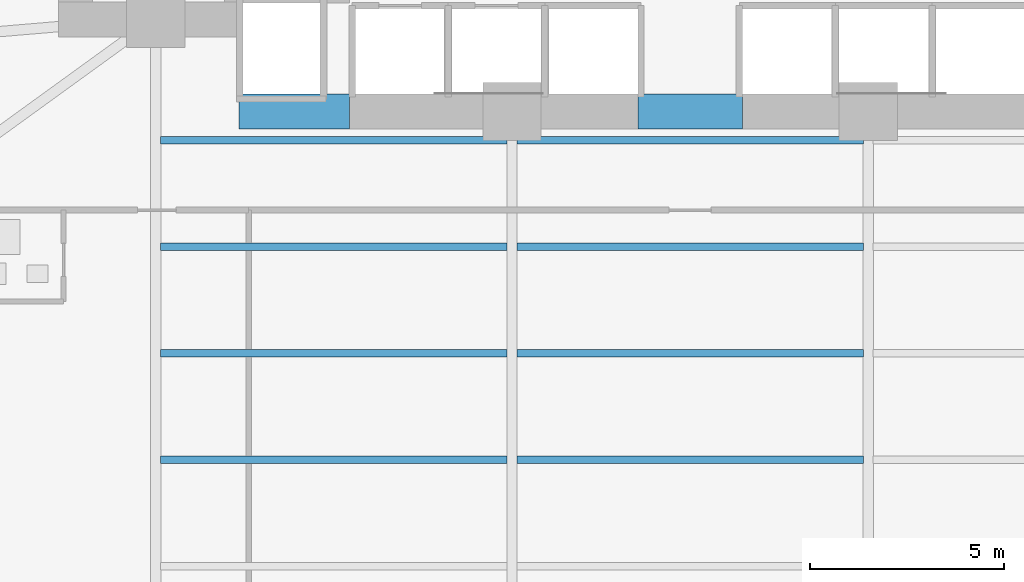
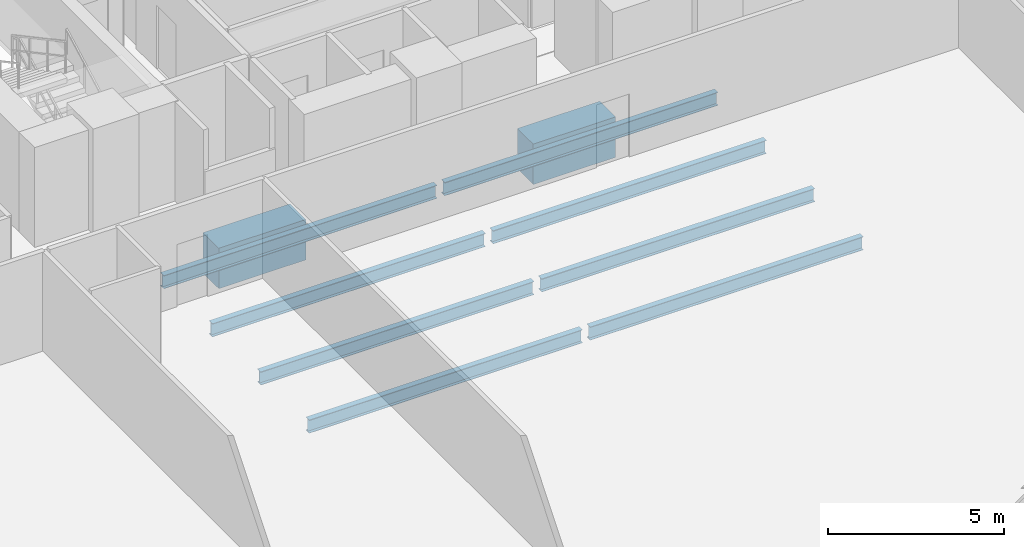
# One storey, part 7 of 28: 10 beams.
"""IFC4 building model written with IfcOpenShell, lengths in metres."""

from ifc_helpers import new_model, si_unit, direction, frame, origin, origin_2d, place, context, subcontext, project, spatial, rectangle, i_section, extrude, material, material_profile, profile_set, type_object, element, save


model = new_model("IFC4")

# Units and contexts
model_context = context("Model", 3, precision=1e-05, world=origin(), true_north=direction((0.0, 1.0)))
body_context = subcontext(model_context, "Body", "Model", "MODEL_VIEW")
ifc_project = project(units=[si_unit("LENGTHUNIT", "METRE"), si_unit("AREAUNIT", "SQUARE_METRE"), si_unit("VOLUMEUNIT", "CUBIC_METRE"), si_unit("PLANEANGLEUNIT", "RADIAN"), si_unit("MASSUNIT", "GRAM", prefix="KILO")], contexts=[model_context])

# Site, building, storey
site_placement = place(None, origin())
site = spatial("IfcSite", under=ifc_project, at=site_placement, CompositionType="ELEMENT")
building_placement = place(site_placement, origin())
building = spatial("IfcBuilding", under=site, at=building_placement, Name="Zuhayl Quay Hotel", CompositionType="ELEMENT")
storey_placement = place(building_placement, frame((0.0, 0.0, 75.050048828125)))
storey = spatial("IfcBuildingStorey", under=building, at=storey_placement, Name="L18", CompositionType="ELEMENT", Elevation=75.050048828125)

# Beams
ifc_material_1 = material(Name="Concrete C60/75", Category="concrete")
ifc_material_profile_1 = material_profile(ifc_material_1, rectangle(XDim=0.89990234375, YDim=1.39990234375, at=origin_2d()), Name="RC900X1400")
ifc_profile_set_1 = profile_set([ifc_material_profile_1], Name="Concrete C60/75")
beam_type_1 = type_object("IfcBeamType", Name="BM_CB1_RC900", PredefinedType="T_BEAM", material=ifc_profile_set_1)
beam_1_placement = place(storey_placement, frame((-11.64990234375, 2.14990234375, -0.920166015625), z_axis=(1.0, 0.0, 0.0), x_axis=(0.0, 1.0, 0.0)))
element("IfcBeam", 1, at=beam_1_placement, inside=storey, type_object=beam_type_1, Name="L18 Core Coupling Beam SW", PredefinedType="T_BEAM", context=body_context, shape_type="SweptSolid", body=[
    extrude(rectangle(XDim=0.89990234375, YDim=1.39990234375, at=origin_2d()), origin(), (0.0, 0.0, 1.0), 2.849853515625),
])
beam_2_placement = place(storey_placement, frame((-1.35009765625, 2.14990234375, -0.920166015625), z_axis=(1.0, 0.0, 0.0), x_axis=(0.0, 1.0, 0.0)))
element("IfcBeam", 2, at=beam_2_placement, inside=storey, type_object=beam_type_1, Name="L18 Core Coupling Beam South", PredefinedType="T_BEAM", context=body_context, shape_type="SweptSolid", body=[
    extrude(rectangle(XDim=0.89990234375, YDim=1.39990234375, at=origin_2d()), origin(), (0.0, 0.0, 1.0), 2.7001953125),
])
ifc_material_2 = material(Name="Steel ASTM A992 Grade 50", Category="steel")
ifc_material_profile_2 = material_profile(ifc_material_2, i_section(OverallWidth=0.18994140625, OverallDepth=0.45703125, WebThickness=0.009033203125, FlangeThickness=0.014404296875, at=origin_2d()), Name="W18X50")
ifc_profile_set_2 = profile_set([ifc_material_profile_2], Name="Steel ASTM A992 Grade 50")
beam_type_2 = type_object("IfcBeamType", Name="BM_J2_W18X50", PredefinedType="JOIST", material=ifc_profile_set_2)
beam_3_placement = place(storey_placement, frame((-13.674560546875, -6.85009765625, -0.448486328125), z_axis=(1.0, 0.0, 0.0), x_axis=(0.0, 1.0, 0.0)))
element("IfcBeam", 3, at=beam_3_placement, inside=storey, type_object=beam_type_2, Name="L18 Floor Beam FJ_L18_7_1", PredefinedType="JOIST", context=body_context, shape_type="SweptSolid", body=[
    extrude(i_section(OverallWidth=0.18994140625, OverallDepth=0.45703125, WebThickness=0.009033203125, FlangeThickness=0.014404296875, at=origin_2d()), origin(), (0.0, 0.0, 1.0), 8.948974609375),
])
beam_4_placement = place(storey_placement, frame((-4.474609375, -6.85009765625, -0.448486328125), z_axis=(1.0, 0.0, 0.0), x_axis=(0.0, 1.0, 0.0)))
element("IfcBeam", 4, at=beam_4_placement, inside=storey, type_object=beam_type_2, Name="L18 Floor Beam FJ_L18_7_2", PredefinedType="JOIST", context=body_context, shape_type="SweptSolid", body=[
    extrude(i_section(OverallWidth=0.18994140625, OverallDepth=0.45703125, WebThickness=0.009033203125, FlangeThickness=0.014404296875, at=origin_2d()), origin(), (0.0, 0.0, 1.0), 8.94921875),
])
beam_5_placement = place(storey_placement, frame((-13.674560546875, -4.10009765625, -0.448486328125), z_axis=(1.0, 0.0, 0.0), x_axis=(0.0, 1.0, 0.0)))
element("IfcBeam", 5, at=beam_5_placement, inside=storey, type_object=beam_type_2, Name="L18 Floor Beam FJ_L18_8_1", PredefinedType="JOIST", context=body_context, shape_type="SweptSolid", body=[
    extrude(i_section(OverallWidth=0.18994140625, OverallDepth=0.45703125, WebThickness=0.009033203125, FlangeThickness=0.014404296875, at=origin_2d()), origin(), (0.0, 0.0, 1.0), 8.948974609375),
])
beam_6_placement = place(storey_placement, frame((-4.474609375, -4.10009765625, -0.448486328125), z_axis=(1.0, 0.0, 0.0), x_axis=(0.0, 1.0, 0.0)))
element("IfcBeam", 6, at=beam_6_placement, inside=storey, type_object=beam_type_2, Name="L18 Floor Beam FJ_L18_8_2", PredefinedType="JOIST", context=body_context, shape_type="SweptSolid", body=[
    extrude(i_section(OverallWidth=0.18994140625, OverallDepth=0.45703125, WebThickness=0.009033203125, FlangeThickness=0.014404296875, at=origin_2d()), origin(), (0.0, 0.0, 1.0), 8.94921875),
])
beam_7_placement = place(storey_placement, frame((-13.674560546875, -1.35009765625, -0.448486328125), z_axis=(1.0, 0.0, 0.0), x_axis=(0.0, 1.0, 0.0)))
element("IfcBeam", 7, at=beam_7_placement, inside=storey, type_object=beam_type_2, Name="L18 Floor Beam FJ_L18_9_1", PredefinedType="JOIST", context=body_context, shape_type="SweptSolid", body=[
    extrude(i_section(OverallWidth=0.18994140625, OverallDepth=0.45703125, WebThickness=0.009033203125, FlangeThickness=0.014404296875, at=origin_2d()), origin(), (0.0, 0.0, 1.0), 8.948974609375),
])
beam_8_placement = place(storey_placement, frame((-4.474609375, -1.35009765625, -0.448486328125), z_axis=(1.0, 0.0, 0.0), x_axis=(0.0, 1.0, 0.0)))
element("IfcBeam", 8, at=beam_8_placement, inside=storey, type_object=beam_type_2, Name="L18 Floor Beam FJ_L18_9_2", PredefinedType="JOIST", context=body_context, shape_type="SweptSolid", body=[
    extrude(i_section(OverallWidth=0.18994140625, OverallDepth=0.45703125, WebThickness=0.009033203125, FlangeThickness=0.014404296875, at=origin_2d()), origin(), (0.0, 0.0, 1.0), 8.94921875),
])
beam_9_placement = place(storey_placement, frame((-13.674560546875, 1.39990234375, -0.448486328125), z_axis=(1.0, 0.0, 0.0), x_axis=(0.0, 1.0, 0.0)))
element("IfcBeam", 9, at=beam_9_placement, inside=storey, type_object=beam_type_2, Name="L18 Floor Beam FJ_L18_10_1", PredefinedType="JOIST", context=body_context, shape_type="SweptSolid", body=[
    extrude(i_section(OverallWidth=0.18994140625, OverallDepth=0.45703125, WebThickness=0.009033203125, FlangeThickness=0.014404296875, at=origin_2d()), origin(), (0.0, 0.0, 1.0), 8.948974609375),
])
beam_10_placement = place(storey_placement, frame((-4.474609375, 1.39990234375, -0.448486328125), z_axis=(1.0, 0.0, 0.0), x_axis=(0.0, 1.0, 0.0)))
element("IfcBeam", 10, at=beam_10_placement, inside=storey, type_object=beam_type_2, Name="L18 Floor Beam FJ_L18_10_2", PredefinedType="JOIST", context=body_context, shape_type="SweptSolid", body=[
    extrude(i_section(OverallWidth=0.18994140625, OverallDepth=0.45703125, WebThickness=0.009033203125, FlangeThickness=0.014404296875, at=origin_2d()), origin(), (0.0, 0.0, 1.0), 8.94921875),
])

save(model, "model.ifc")
